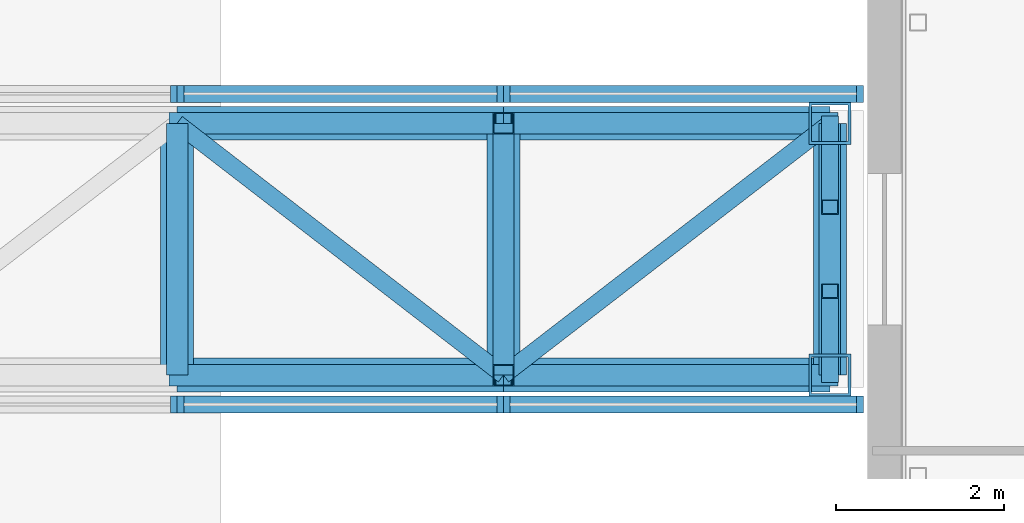
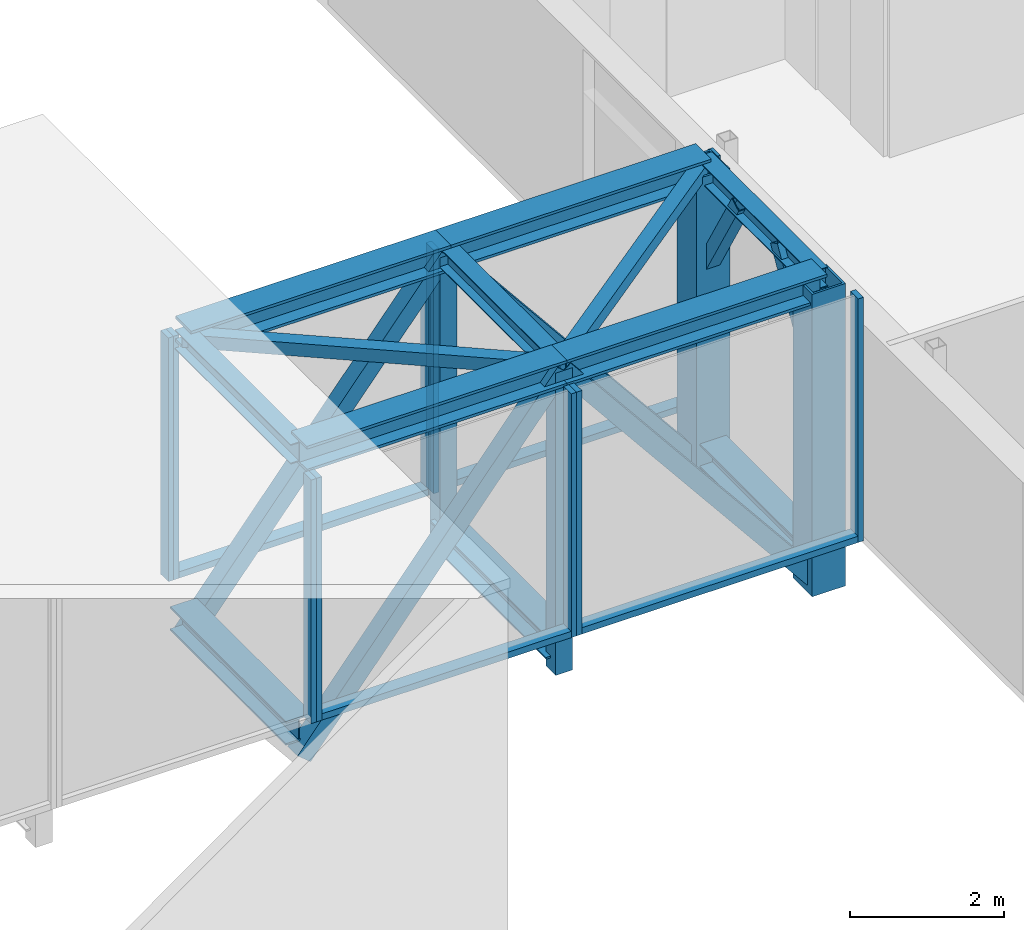
# One storey, part 9 of 23: 30 members, 6 beams, 6 elements without a shape of their own.
"""IFC4 building model written with IfcOpenShell, lengths in metres."""

from ifc_helpers import new_model, si_unit, direction, frame, origin, origin_2d, place, context, subcontext, project, spatial, rectangle, hollow_rectangle, i_section, extrude, material, material_profile, profile_set, type_object, element, aggregate, save


model = new_model("IFC4")

# Units and contexts
model_context = context("Model", 3, precision=1e-05, world=origin(), true_north=direction((0.0, 1.0)))
body_context = subcontext(model_context, "Body", "Model", "MODEL_VIEW")
ifc_project = project(units=[si_unit("LENGTHUNIT", "METRE"), si_unit("AREAUNIT", "SQUARE_METRE"), si_unit("VOLUMEUNIT", "CUBIC_METRE"), si_unit("PLANEANGLEUNIT", "RADIAN"), si_unit("MASSUNIT", "GRAM", prefix="KILO")], contexts=[model_context])

# Site, building, storey
site_placement = place(None, origin())
site = spatial("IfcSite", under=ifc_project, at=site_placement, CompositionType="ELEMENT")
building_placement = place(site_placement, origin())
building = spatial("IfcBuilding", under=site, at=building_placement, Name="Iwan Alto Co-Living Towers", CompositionType="ELEMENT")
storey_placement = place(building_placement, frame((0.0, 0.0, 129.5)))
storey = spatial("IfcBuildingStorey", under=building, at=storey_placement, Name="L35", CompositionType="ELEMENT", Elevation=129.5)

# Members
ifc_material_1 = material(Name="Steel ASTM A572 Gr 50", Category="steel")
ifc_material_profile_1 = material_profile(ifc_material_1, hollow_rectangle(XDim=0.5, YDim=0.5, WallThickness=0.031982421875, at=origin_2d()), Name="BOX 500X500X32")
ifc_profile_set_1 = profile_set([ifc_material_profile_1], Name="Steel ASTM A572 Gr 50")
member_type_1 = type_object("IfcMemberType", Name="BRIDGE END POST BOX 500X500X32", PredefinedType="POST", material=ifc_profile_set_1)
for number, where, z_axis, x_axis, name in (
    (1, (48.300048828125, -1.5, -0.779052734375), (0.0, 0.0, 1.0), (1.0, 0.0, 0.0), "BR2 truss S end post 2"),
    (2, (48.300048828125, 1.5, -0.779052734375), (0.0, 0.0, 1.0), (1.0, 0.0, 0.0), "BR2 truss N end post 2"),
):
    element("IfcMember", number, at=place(storey_placement, frame(where, z_axis=z_axis, x_axis=x_axis)), inside=storey, type_object=member_type_1, Name=name, PredefinedType="POST", context=body_context, shape_type="SweptSolid", body=[
        extrude(hollow_rectangle(XDim=0.5, YDim=0.5, WallThickness=0.031982421875, at=origin_2d()), origin(), (0.0, 0.0, 1.0), 4.779052734375),
    ])

# Beams
ifc_material_2 = material(Name="Steel ASTM A992 Gr 50", Category="steel")
ifc_material_profile_2 = material_profile(ifc_material_2, i_section(OverallWidth=0.393798828125, OverallDepth=0.3759765625, WebThickness=0.017333984375, FlangeThickness=0.027587890625, at=origin_2d()), Name="W14X145")
ifc_profile_set_2 = profile_set([ifc_material_profile_2], Name="Steel ASTM A992 Gr 50")
beam_type_1 = type_object("IfcBeamType", Name="BRIDGE FLOOR BEAM W14X145", PredefinedType="BEAM", material=ifc_profile_set_2)
for number, where, z_axis, x_axis, name in (
    (3, (40.52490234375, -1.5, -0.387939453125), (0.0, 1.0, 0.0), (-1.0, 0.0, 0.0), "BR2 floor beam 3"),
    (4, (44.41259765625, -1.5, -0.387939453125), (0.0, 1.0, 0.0), (-1.0, 0.0, 0.0), "BR2 floor beam 4"),
    (5, (48.300048828125, -1.5, -0.387939453125), (0.0, 1.0, 0.0), (-1.0, 0.0, 0.0), "BR2 floor beam 5"),
):
    element("IfcBeam", number, at=place(storey_placement, frame(where, z_axis=z_axis, x_axis=x_axis)), inside=storey, type_object=beam_type_1, Name=name, PredefinedType="BEAM", context=body_context, shape_type="SweptSolid", body=[
        extrude(i_section(OverallWidth=0.393798828125, OverallDepth=0.3759765625, WebThickness=0.017333984375, FlangeThickness=0.027587890625, at=origin_2d()), origin(), (0.0, 0.0, 1.0), 3.0),
    ])

# Members
ifc_material_3 = material(Name="Steel ASTM A500 Gr C", Category="steel")
ifc_material_profile_3 = material_profile(ifc_material_3, hollow_rectangle(XDim=0.203125, YDim=0.203125, WallThickness=0.01171875, at=origin_2d()), Name="HSS8X8X1/2")
ifc_profile_set_3 = profile_set([ifc_material_profile_3], Name="Steel ASTM A500 Gr C")
member_type_2 = type_object("IfcMemberType", Name="BRIDGE PORTAL KNEE BRACE HSS8X8X1/2", PredefinedType="BRACE", material=ifc_profile_set_3)
for number, where, z_axis, x_axis, name in (
    (6, (48.300048828125, -1.5, 2.300048828125), (0.0, 0.50703094594, 0.861927850727), (-1.0, 0.0, 0.0), "BR2 end portal knee brace T2 S"),
    (7, (48.300048828125, 1.5, 2.300048828125), (0.0, -0.50703094594, 0.861927850727), (1.0, 0.0, 0.0), "BR2 end portal knee brace T2 N"),
):
    element("IfcMember", number, at=place(storey_placement, frame(where, z_axis=z_axis, x_axis=x_axis)), inside=storey, type_object=member_type_2, Name=name, PredefinedType="BRACE", context=body_context, shape_type="SweptSolid", body=[
        extrude(hollow_rectangle(XDim=0.203125, YDim=0.203125, WallThickness=0.01171875, at=origin_2d()), origin(), (0.0, 0.0, 1.0), 1.97216796875),
    ])

# Beams
ifc_material_4 = material(Name="Steel ASTM A992 Gr 50", Category="steel")
ifc_material_profile_4 = material_profile(ifc_material_4, i_section(OverallWidth=0.25390625, OverallDepth=0.307373046875, WebThickness=0.0087890625, FlangeThickness=0.0146484375, at=origin_2d()), Name="W12X53")
ifc_profile_set_4 = profile_set([ifc_material_profile_4], Name="Steel ASTM A992 Gr 50")
beam_type_2 = type_object("IfcBeamType", Name="BRIDGE ROOF BEAM W12X53", PredefinedType="BEAM", material=ifc_profile_set_4)
for number, where, z_axis, x_axis, name in (
    (8, (40.52490234375, -1.5, 4.0), (0.0, 1.0, 0.0), (-1.0, 0.0, 0.0), "BR2 roof beam 3"),
    (9, (44.41259765625, -1.5, 4.0), (0.0, 1.0, 0.0), (-1.0, 0.0, 0.0), "BR2 roof beam 4"),
    (10, (48.300048828125, -1.5, 4.0), (0.0, 1.0, 0.0), (-1.0, 0.0, 0.0), "BR2 roof beam 5"),
):
    element("IfcBeam", number, at=place(storey_placement, frame(where, z_axis=z_axis, x_axis=x_axis)), inside=storey, type_object=beam_type_2, Name=name, PredefinedType="BEAM", context=body_context, shape_type="SweptSolid", body=[
        extrude(i_section(OverallWidth=0.25390625, OverallDepth=0.307373046875, WebThickness=0.0087890625, FlangeThickness=0.0146484375, at=origin_2d()), origin(), (0.0, 0.0, 1.0), 3.0),
    ])

# Members
ifc_material_5 = material(Name="Steel ASTM A500 Gr C", Category="steel")
ifc_material_profile_5 = material_profile(ifc_material_5, hollow_rectangle(XDim=0.203125, YDim=0.203125, WallThickness=0.01171875, at=origin_2d()), Name="HSS8X8X1/2")
ifc_profile_set_5 = profile_set([ifc_material_profile_5], Name="Steel ASTM A500 Gr C")
member_type_3 = type_object("IfcMemberType", Name="BRIDGE TOP LATERAL BRACE HSS8X8X1/2", PredefinedType="BRACE", material=ifc_profile_set_5)
member_1_placement = place(storey_placement, frame((40.52490234375, 1.5, 4.0), z_axis=(0.791691565695, -0.61092099719, 0.0), x_axis=(0.61092099719, 0.791691565695, 0.0)))
element("IfcMember", 11, at=member_1_placement, inside=storey, type_object=member_type_3, Name="BR2 top lateral brace 3", PredefinedType="BRACE", context=body_context, shape_type="SweptSolid", body=[
    extrude(hollow_rectangle(XDim=0.203125, YDim=0.203125, WallThickness=0.01171875, at=origin_2d()), origin(), (0.0, 0.0, 1.0), 4.91064453125),
])
member_2_placement = place(storey_placement, frame((44.41259765625, -1.5, 4.0), z_axis=(0.791673009044, 0.61094504397, 0.0), x_axis=(-0.61094504397, 0.791673009044, 0.0)))
element("IfcMember", 12, at=member_2_placement, inside=storey, type_object=member_type_3, Name="BR2 top lateral brace 4", PredefinedType="BRACE", context=body_context, shape_type="SweptSolid", body=[
    extrude(hollow_rectangle(XDim=0.203125, YDim=0.203125, WallThickness=0.01171875, at=origin_2d()), origin(), (0.0, 0.0, 1.0), 4.910400390625),
])
ifc_material_6 = material(Name="Steel ASTM A992 Gr 50", Category="steel")
ifc_material_profile_6 = material_profile(ifc_material_6, i_section(OverallWidth=0.40380859375, OverallDepth=0.406494140625, WebThickness=0.027099609375, FlangeThickness=0.043701171875, at=origin_2d()), Name="W14X233")
ifc_profile_set_6 = profile_set([ifc_material_profile_6], Name="Steel ASTM A992 Gr 50")
member_type_4 = type_object("IfcMemberType", Name="BRIDGE TRUSS CHORD W14X233", PredefinedType="CHORD", material=ifc_profile_set_6)
member_3_placement = place(storey_placement, frame((40.52490234375, -1.5, 4.0), z_axis=(1.0, 0.0, 0.0), x_axis=(0.0, 1.0, 0.0)))
element("IfcMember", 13, at=member_3_placement, inside=storey, type_object=member_type_4, Name="BR2 truss S top chord 3", PredefinedType="CHORD", context=body_context, shape_type="SweptSolid", body=[
    extrude(i_section(OverallWidth=0.40380859375, OverallDepth=0.406494140625, WebThickness=0.027099609375, FlangeThickness=0.043701171875, at=origin_2d()), origin(), (0.0, 0.0, 1.0), 3.8876953125),
])
member_4_placement = place(storey_placement, frame((44.41259765625, -1.5, 4.0), z_axis=(1.0, 0.0, 0.0), x_axis=(0.0, 1.0, 0.0)))
element("IfcMember", 14, at=member_4_placement, inside=storey, type_object=member_type_4, Name="BR2 truss S top chord 4", PredefinedType="CHORD", context=body_context, shape_type="SweptSolid", body=[
    extrude(i_section(OverallWidth=0.40380859375, OverallDepth=0.406494140625, WebThickness=0.027099609375, FlangeThickness=0.043701171875, at=origin_2d()), origin(), (0.0, 0.0, 1.0), 3.887451171875),
])
member_5_placement = place(storey_placement, frame((40.52490234375, 1.5, 4.0), z_axis=(1.0, 0.0, 0.0), x_axis=(0.0, 1.0, 0.0)))
element("IfcMember", 15, at=member_5_placement, inside=storey, type_object=member_type_4, Name="BR2 truss N top chord 3", PredefinedType="CHORD", context=body_context, shape_type="SweptSolid", body=[
    extrude(i_section(OverallWidth=0.40380859375, OverallDepth=0.406494140625, WebThickness=0.027099609375, FlangeThickness=0.043701171875, at=origin_2d()), origin(), (0.0, 0.0, 1.0), 3.8876953125),
])
member_6_placement = place(storey_placement, frame((44.41259765625, 1.5, 4.0), z_axis=(1.0, 0.0, 0.0), x_axis=(0.0, 1.0, 0.0)))
element("IfcMember", 16, at=member_6_placement, inside=storey, type_object=member_type_4, Name="BR2 truss N top chord 4", PredefinedType="CHORD", context=body_context, shape_type="SweptSolid", body=[
    extrude(i_section(OverallWidth=0.40380859375, OverallDepth=0.406494140625, WebThickness=0.027099609375, FlangeThickness=0.043701171875, at=origin_2d()), origin(), (0.0, 0.0, 1.0), 3.887451171875),
])
ifc_material_7 = material(Name="Steel ASTM A500 Gr C", Category="steel")
ifc_material_profile_7 = material_profile(ifc_material_7, hollow_rectangle(XDim=0.25390625, YDim=0.25390625, WallThickness=0.01171875, at=origin_2d()), Name="HSS10X10X1/2")
ifc_profile_set_7 = profile_set([ifc_material_profile_7], Name="Steel ASTM A500 Gr C")
member_type_5 = type_object("IfcMemberType", Name="BRIDGE TRUSS VERTICAL HSS10X10X1/2", PredefinedType="POST", material=ifc_profile_set_7)
for number, where, z_axis, x_axis, name in (
    (17, (44.41259765625, -1.5, -0.779052734375), (0.0, 0.0, 1.0), (1.0, 0.0, 0.0), "BR2 truss S vertical 2"),
    (18, (44.41259765625, 1.5, -0.779052734375), (0.0, 0.0, 1.0), (1.0, 0.0, 0.0), "BR2 truss N vertical 2"),
):
    element("IfcMember", number, at=place(storey_placement, frame(where, z_axis=z_axis, x_axis=x_axis)), inside=storey, type_object=member_type_5, Name=name, PredefinedType="POST", context=body_context, shape_type="SweptSolid", body=[
        extrude(hollow_rectangle(XDim=0.25390625, YDim=0.25390625, WallThickness=0.01171875, at=origin_2d()), origin(), (0.0, 0.0, 1.0), 4.779052734375),
    ])
ifc_material_8 = material(Name="Steel ASTM A500 Gr C", Category="steel")
ifc_material_profile_8 = material_profile(ifc_material_8, hollow_rectangle(XDim=0.25390625, YDim=0.25390625, WallThickness=0.01171875, at=origin_2d()), Name="HSS10X10X1/2")
ifc_profile_set_8 = profile_set([ifc_material_profile_8], Name="Steel ASTM A500 Gr C")
member_type_6 = type_object("IfcMemberType", Name="BRIDGE TRUSS WEB HSS10X10X1/2", PredefinedType="BRACE", material=ifc_profile_set_8)
member_7_placement = place(storey_placement, frame((40.52490234375, -1.5, -0.779052734375), z_axis=(0.631053516642, 0.0, 0.775739298434), x_axis=(0.0, 1.0, 0.0)))
element("IfcMember", 19, at=member_7_placement, inside=storey, type_object=member_type_6, Name="BR2 truss S diagonal 3", PredefinedType="BRACE", context=body_context, shape_type="SweptSolid", body=[
    extrude(hollow_rectangle(XDim=0.25390625, YDim=0.25390625, WallThickness=0.01171875, at=origin_2d()), origin(), (0.0, 0.0, 1.0), 6.16064453125),
])
member_8_placement = place(storey_placement, frame((44.41259765625, -1.5, 4.0), z_axis=(0.631029668096, 0.0, -0.775758698297), x_axis=(0.0, 1.0, 0.0)))
element("IfcMember", 20, at=member_8_placement, inside=storey, type_object=member_type_6, Name="BR2 truss S diagonal 4", PredefinedType="BRACE", context=body_context, shape_type="SweptSolid", body=[
    extrude(hollow_rectangle(XDim=0.25390625, YDim=0.25390625, WallThickness=0.01171875, at=origin_2d()), origin(), (0.0, 0.0, 1.0), 6.160400390625),
])
member_9_placement = place(storey_placement, frame((40.52490234375, 1.5, -0.779052734375), z_axis=(0.631053516642, 0.0, 0.775739298434), x_axis=(0.0, 1.0, 0.0)))
element("IfcMember", 21, at=member_9_placement, inside=storey, type_object=member_type_6, Name="BR2 truss N diagonal 3", PredefinedType="BRACE", context=body_context, shape_type="SweptSolid", body=[
    extrude(hollow_rectangle(XDim=0.25390625, YDim=0.25390625, WallThickness=0.01171875, at=origin_2d()), origin(), (0.0, 0.0, 1.0), 6.16064453125),
])
member_10_placement = place(storey_placement, frame((44.41259765625, 1.5, 4.0), z_axis=(0.631029668096, 0.0, -0.775758698297), x_axis=(0.0, 1.0, 0.0)))
element("IfcMember", 22, at=member_10_placement, inside=storey, type_object=member_type_6, Name="BR2 truss N diagonal 4", PredefinedType="BRACE", context=body_context, shape_type="SweptSolid", body=[
    extrude(hollow_rectangle(XDim=0.25390625, YDim=0.25390625, WallThickness=0.01171875, at=origin_2d()), origin(), (0.0, 0.0, 1.0), 6.160400390625),
])

# Curtain wall, member
ifc_material_9 = material(Name="Bronze aluminium stick frame", Category="aluminium")
curtain_wall_type = type_object("IfcCurtainWallType", Name="CURTAIN WALL CW-F", PredefinedType="NOTDEFINED", material=ifc_material_9)
curtain_wall_1_placement = place(storey_placement, origin())
curtain_wall_1 = element("IfcCurtainWall", 23, at=curtain_wall_1_placement, inside=storey, type_object=curtain_wall_type, Name="Skybridge BR2 glazing S 2", PredefinedType="NOTDEFINED")
ifc_material_10 = material(Name="Aluminium 6063-T6 bronze anodised", Category="aluminium")
ifc_material_profile_9 = material_profile(ifc_material_10, rectangle(XDim=0.199951171875, YDim=0.080078125, at=origin_2d()), Name="AL 80X200")
ifc_profile_set_9 = profile_set([ifc_material_profile_9], Name="Aluminium 6063-T6 bronze anodised")
member_type_7 = type_object("IfcMemberType", Name="CW-F MULLION 80X200", PredefinedType="MULLION", material=ifc_profile_set_9)
member_11_placement = place(storey_placement, frame((40.485107421875, -1.85009765625, 0.0), z_axis=(0.0, 0.0, 1.0), x_axis=(0.0, 1.0, 0.0)))
member_11 = element("IfcMember", 24, at=member_11_placement, type_object=member_type_7, Name="CW-F mullion 2", PredefinedType="MULLION", context=body_context, shape_type="SweptSolid", body=[
    extrude(rectangle(XDim=0.199951171875, YDim=0.080078125, at=origin_2d()), origin(), (0.0, 0.0, 1.0), 3.85009765625),
])
aggregate(curtain_wall_1, [member_11])

# Curtain wall, members
curtain_wall_2_placement = place(storey_placement, origin())
curtain_wall_2 = element("IfcCurtainWall", 25, at=curtain_wall_2_placement, inside=storey, type_object=curtain_wall_type, Name="Skybridge BR2 glazing S 3", PredefinedType="NOTDEFINED")
member_12_placement = place(storey_placement, frame((40.56494140625, -1.85009765625, 0.0), z_axis=(0.0, 0.0, 1.0), x_axis=(0.0, 1.0, 0.0)))
member_12 = element("IfcMember", 26, at=member_12_placement, type_object=member_type_7, Name="CW-F mullion 1", PredefinedType="MULLION", context=body_context, shape_type="SweptSolid", body=[
    extrude(rectangle(XDim=0.199951171875, YDim=0.080078125, at=origin_2d()), origin(), (0.0, 0.0, 1.0), 3.85009765625),
])
member_13_placement = place(storey_placement, frame((44.37255859375, -1.85009765625, 0.0), z_axis=(0.0, 0.0, 1.0), x_axis=(0.0, 1.0, 0.0)))
member_13 = element("IfcMember", 27, at=member_13_placement, type_object=member_type_7, Name="CW-F mullion 2", PredefinedType="MULLION", context=body_context, shape_type="SweptSolid", body=[
    extrude(rectangle(XDim=0.199951171875, YDim=0.080078125, at=origin_2d()), origin(), (0.0, 0.0, 1.0), 3.85009765625),
])

curtain_wall_3_placement = place(storey_placement, origin())
curtain_wall_3 = element("IfcCurtainWall", 28, at=curtain_wall_3_placement, inside=storey, type_object=curtain_wall_type, Name="Skybridge BR2 glazing S 4", PredefinedType="NOTDEFINED")
member_14_placement = place(storey_placement, frame((44.452392578125, -1.85009765625, 0.0), z_axis=(0.0, 0.0, 1.0), x_axis=(0.0, 1.0, 0.0)))
member_14 = element("IfcMember", 29, at=member_14_placement, type_object=member_type_7, Name="CW-F mullion 1", PredefinedType="MULLION", context=body_context, shape_type="SweptSolid", body=[
    extrude(rectangle(XDim=0.199951171875, YDim=0.080078125, at=origin_2d()), origin(), (0.0, 0.0, 1.0), 3.85009765625),
])
member_15_placement = place(storey_placement, frame((48.659912109375, -1.85009765625, 0.0), z_axis=(0.0, 0.0, 1.0), x_axis=(0.0, 1.0, 0.0)))
member_15 = element("IfcMember", 30, at=member_15_placement, type_object=member_type_7, Name="CW-F mullion 2", PredefinedType="MULLION", context=body_context, shape_type="SweptSolid", body=[
    extrude(rectangle(XDim=0.199951171875, YDim=0.080078125, at=origin_2d()), origin(), (0.0, 0.0, 1.0), 3.85009765625),
])

# Curtain wall, member
curtain_wall_4_placement = place(storey_placement, origin())
curtain_wall_4 = element("IfcCurtainWall", 31, at=curtain_wall_4_placement, inside=storey, type_object=curtain_wall_type, Name="Skybridge BR2 glazing N 2", PredefinedType="NOTDEFINED")
member_16_placement = place(storey_placement, frame((40.485107421875, 1.85009765625, 0.0), z_axis=(0.0, 0.0, 1.0), x_axis=(0.0, -1.0, 0.0)))
member_16 = element("IfcMember", 32, at=member_16_placement, type_object=member_type_7, Name="CW-F mullion 1", PredefinedType="MULLION", context=body_context, shape_type="SweptSolid", body=[
    extrude(rectangle(XDim=0.199951171875, YDim=0.080078125, at=origin_2d()), origin(), (0.0, 0.0, 1.0), 3.85009765625),
])
aggregate(curtain_wall_4, [member_16])

# Curtain wall, members
curtain_wall_5_placement = place(storey_placement, origin())
curtain_wall_5 = element("IfcCurtainWall", 33, at=curtain_wall_5_placement, inside=storey, type_object=curtain_wall_type, Name="Skybridge BR2 glazing N 3", PredefinedType="NOTDEFINED")
member_17_placement = place(storey_placement, frame((44.37255859375, 1.85009765625, 0.0), z_axis=(0.0, 0.0, 1.0), x_axis=(0.0, -1.0, 0.0)))
member_17 = element("IfcMember", 34, at=member_17_placement, type_object=member_type_7, Name="CW-F mullion 1", PredefinedType="MULLION", context=body_context, shape_type="SweptSolid", body=[
    extrude(rectangle(XDim=0.199951171875, YDim=0.080078125, at=origin_2d()), origin(), (0.0, 0.0, 1.0), 3.85009765625),
])
member_18_placement = place(storey_placement, frame((40.56494140625, 1.85009765625, 0.0), z_axis=(0.0, 0.0, 1.0), x_axis=(0.0, -1.0, 0.0)))
member_18 = element("IfcMember", 35, at=member_18_placement, type_object=member_type_7, Name="CW-F mullion 2", PredefinedType="MULLION", context=body_context, shape_type="SweptSolid", body=[
    extrude(rectangle(XDim=0.199951171875, YDim=0.080078125, at=origin_2d()), origin(), (0.0, 0.0, 1.0), 3.85009765625),
])

curtain_wall_6_placement = place(storey_placement, origin())
curtain_wall_6 = element("IfcCurtainWall", 36, at=curtain_wall_6_placement, inside=storey, type_object=curtain_wall_type, Name="Skybridge BR2 glazing N 4", PredefinedType="NOTDEFINED")
member_19_placement = place(storey_placement, frame((48.659912109375, 1.85009765625, 0.0), z_axis=(0.0, 0.0, 1.0), x_axis=(0.0, -1.0, 0.0)))
member_19 = element("IfcMember", 37, at=member_19_placement, type_object=member_type_7, Name="CW-F mullion 1", PredefinedType="MULLION", context=body_context, shape_type="SweptSolid", body=[
    extrude(rectangle(XDim=0.199951171875, YDim=0.080078125, at=origin_2d()), origin(), (0.0, 0.0, 1.0), 3.85009765625),
])
member_20_placement = place(storey_placement, frame((44.452392578125, 1.85009765625, 0.0), z_axis=(0.0, 0.0, 1.0), x_axis=(0.0, -1.0, 0.0)))
member_20 = element("IfcMember", 38, at=member_20_placement, type_object=member_type_7, Name="CW-F mullion 2", PredefinedType="MULLION", context=body_context, shape_type="SweptSolid", body=[
    extrude(rectangle(XDim=0.199951171875, YDim=0.080078125, at=origin_2d()), origin(), (0.0, 0.0, 1.0), 3.85009765625),
])

# Member
ifc_material_11 = material(Name="Aluminium 6063-T6 bronze anodised", Category="aluminium")
ifc_material_profile_10 = material_profile(ifc_material_11, rectangle(XDim=0.199951171875, YDim=0.10009765625, at=origin_2d()), Name="AL 200X100")
ifc_profile_set_10 = profile_set([ifc_material_profile_10], Name="Aluminium 6063-T6 bronze anodised")
member_type_8 = type_object("IfcMemberType", Name="CW-F TRANSOM 200X100", PredefinedType="USERDEFINED", material=ifc_profile_set_10)
member_21_placement = place(storey_placement, frame((40.60498046875, -1.85009765625, 0.050048828125), z_axis=(1.0, 0.0, 0.0), x_axis=(0.0, 1.0, 0.0)))
member_21 = element("IfcMember", 39, at=member_21_placement, type_object=member_type_8, Name="CW-F transom 1.1", ObjectType="TRANSOM", PredefinedType="USERDEFINED", context=body_context, shape_type="SweptSolid", body=[
    extrude(rectangle(XDim=0.199951171875, YDim=0.10009765625, at=origin_2d()), origin(), (0.0, 0.0, 1.0), 3.7275390625),
])

aggregate(curtain_wall_2, [member_12, member_13, member_21])

member_22_placement = place(storey_placement, frame((44.492431640625, -1.85009765625, 0.050048828125), z_axis=(1.0, 0.0, 0.0), x_axis=(0.0, 1.0, 0.0)))
member_22 = element("IfcMember", 40, at=member_22_placement, type_object=member_type_8, Name="CW-F transom 1.1", ObjectType="TRANSOM", PredefinedType="USERDEFINED", context=body_context, shape_type="SweptSolid", body=[
    extrude(rectangle(XDim=0.199951171875, YDim=0.10009765625, at=origin_2d()), origin(), (0.0, 0.0, 1.0), 4.127685546875),
])

aggregate(curtain_wall_3, [member_14, member_15, member_22])

member_23_placement = place(storey_placement, frame((44.33251953125, 1.85009765625, 0.050048828125), z_axis=(-1.0, 0.0, 0.0), x_axis=(0.0, -1.0, 0.0)))
member_23 = element("IfcMember", 41, at=member_23_placement, type_object=member_type_8, Name="CW-F transom 1.1", ObjectType="TRANSOM", PredefinedType="USERDEFINED", context=body_context, shape_type="SweptSolid", body=[
    extrude(rectangle(XDim=0.199951171875, YDim=0.10009765625, at=origin_2d()), origin(), (0.0, 0.0, 1.0), 3.7275390625),
])

aggregate(curtain_wall_5, [member_17, member_18, member_23])

member_24_placement = place(storey_placement, frame((48.6201171875, 1.85009765625, 0.050048828125), z_axis=(-1.0, 0.0, 0.0), x_axis=(0.0, -1.0, 0.0)))
member_24 = element("IfcMember", 42, at=member_24_placement, type_object=member_type_8, Name="CW-F transom 1.1", ObjectType="TRANSOM", PredefinedType="USERDEFINED", context=body_context, shape_type="SweptSolid", body=[
    extrude(rectangle(XDim=0.199951171875, YDim=0.10009765625, at=origin_2d()), origin(), (0.0, 0.0, 1.0), 4.127685546875),
])

aggregate(curtain_wall_6, [member_19, member_20, member_24])

save(model, "model.ifc")
